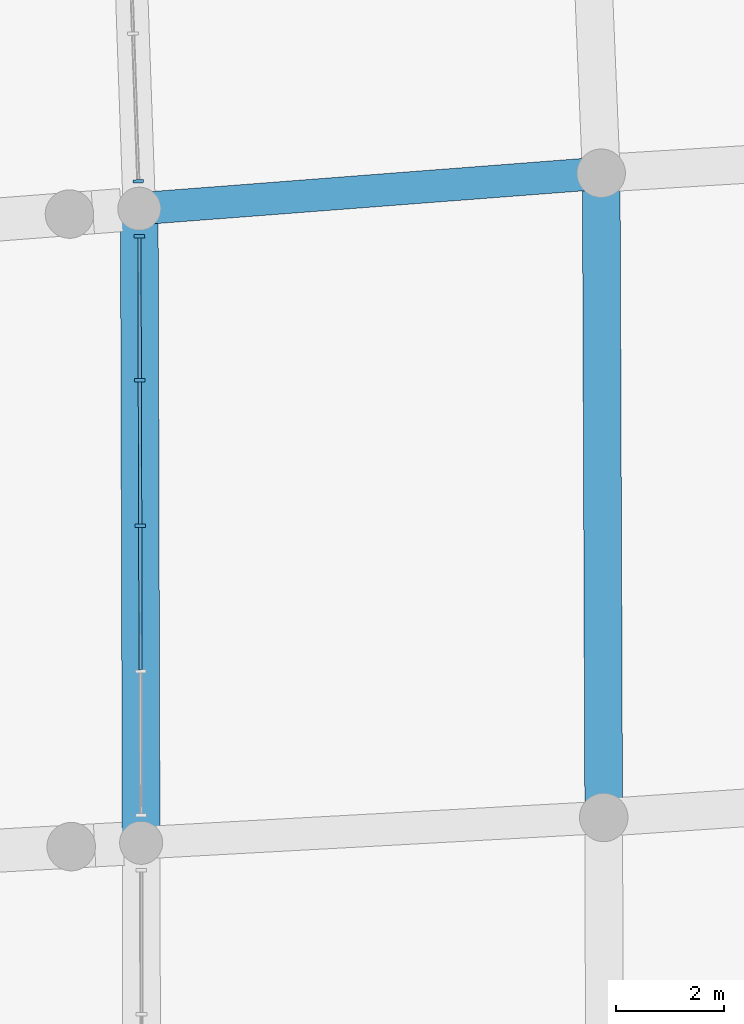
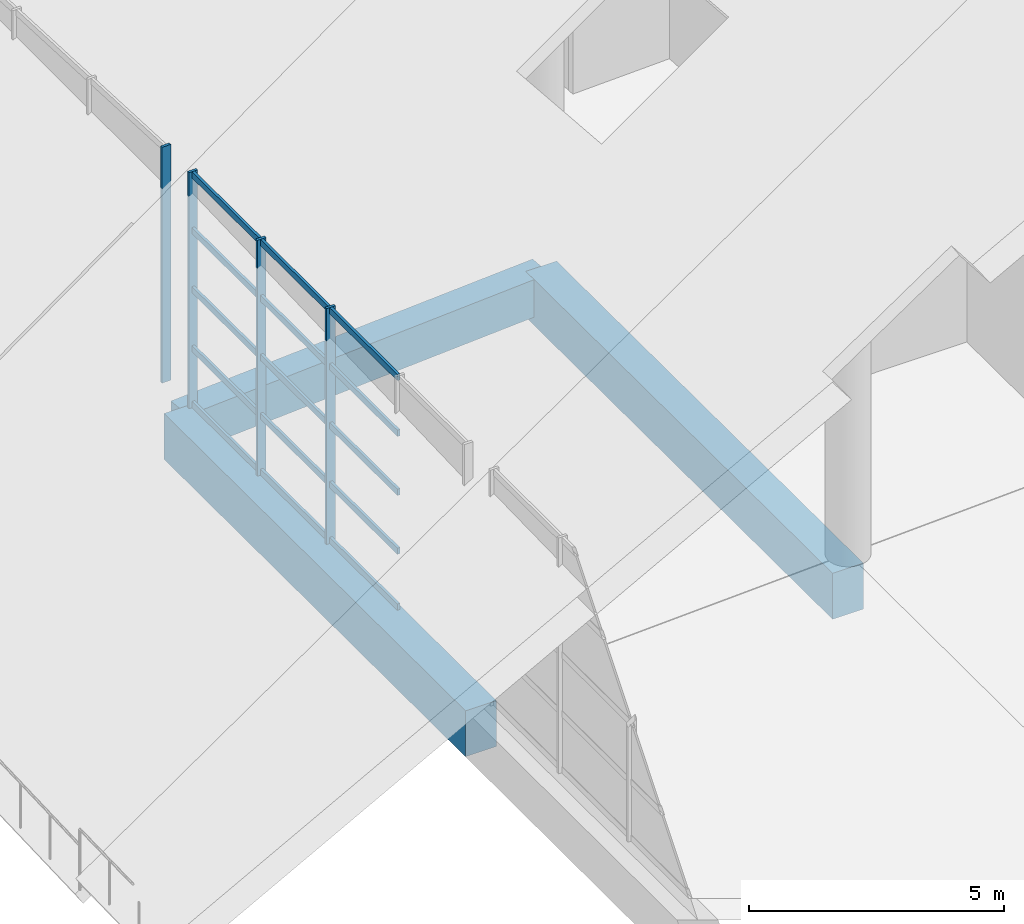
# One storey, part 76 of 249: 19 members, 3 beams, 2 elements without a shape of their own.
"""IFC4 building model written with IfcOpenShell, lengths in metres."""

import ifcopenshell
import ifcopenshell.guid

model = None  # the IFC model being written
_history = None  # IfcOwnerHistory: only IFC2X3 demands one
_inside = {}  # id of a spatial element -> (the spatial element, [elements in it])
_under = {}  # id of a project, library or spatial element -> (it, [spatial elements below it])
_declared = {}  # id of a project -> (the project, [libraries it declares])
_typed = {}  # id of a type object -> (the type object, [elements of that type])
_made_of = {}  # id of a material, layer set ... -> (it, [elements and type objects made of it])


def new_model(schema):
    """Start an empty IFC model of exactly this schema.

    Asked for "IFC4X3", IfcOpenShell would pick the latest addendum, in which some entities
    have other attributes; the version numbers below select the first issue.
    IFC2X3 requires an IfcOwnerHistory on every rooted entity: one is made here for all.
    """
    global model, _history
    if schema == "IFC4X3":
        model = ifcopenshell.file(schema_version=(4, 3, 0, 0))
    else:
        model = ifcopenshell.file(schema=schema)
    _inside.clear()
    _under.clear()
    _declared.clear()
    _typed.clear()
    _made_of.clear()
    _history = None
    if model.schema == "IFC2X3":
        org = make("IfcOrganization", Name="unknown")
        user = make(
            "IfcPersonAndOrganization",
            ThePerson=make("IfcPerson", FamilyName="unknown"),
            TheOrganization=org,
        )
        app = make(
            "IfcApplication",
            ApplicationDeveloper=org,
            Version="unknown",
            ApplicationFullName="unknown",
            ApplicationIdentifier="unknown",
        )
        _history = make(
            "IfcOwnerHistory",
            OwningUser=user,
            OwningApplication=app,
            ChangeAction="ADDED",
            CreationDate=0,
        )
    return model


def make(cls, **values):
    """One entity of the class cls with the attributes given. An attribute that is None is left unset."""
    return model.create_entity(
        cls, **{name: value for name, value in values.items() if value is not None}
    )


def rooted(cls, **values):
    """An entity with a GlobalId (a new one), such as an element, a storey or a relation."""
    return make(cls, GlobalId=ifcopenshell.guid.new(), OwnerHistory=_history, **values)


def si_unit(unit_type, name, prefix=None):
    """IfcSIUnit, for example si_unit("LENGTHUNIT", "METRE", prefix="MILLI")."""
    return make("IfcSIUnit", UnitType=unit_type, Prefix=prefix, Name=name)


def assignment(units):
    """IfcUnitAssignment: the units of a project."""
    return None if units is None else make("IfcUnitAssignment", Units=units)


def point(xyz):
    """IfcCartesianPoint."""
    return None if xyz is None else make("IfcCartesianPoint", Coordinates=xyz)


def direction(xyz):
    """IfcDirection."""
    return None if xyz is None else make("IfcDirection", DirectionRatios=xyz)


def frame(location, z_axis=None, x_axis=None):
    """IfcAxis2Placement3D, a coordinate frame: its origin and axes. An axis left out is left unset."""
    return make(
        "IfcAxis2Placement3D",
        Location=point(location),
        Axis=direction(z_axis),
        RefDirection=direction(x_axis),
    )


def frame_2d(location, x_axis=None):
    """IfcAxis2Placement2D, a coordinate frame in the plane: its origin and x axis."""
    return make(
        "IfcAxis2Placement2D", Location=point(location), RefDirection=direction(x_axis)
    )


def origin():
    """The frame at (0, 0, 0) with its axes left unset."""
    return frame((0.0, 0.0, 0.0))


def origin_2d():
    """The frame at (0, 0) in the plane with its x axis left unset."""
    return frame_2d((0.0, 0.0))


def place(relative_to, where):
    """IfcLocalPlacement: puts the frame where relative to a parent placement (None: the world)."""
    return make(
        "IfcLocalPlacement", PlacementRelTo=relative_to, RelativePlacement=where
    )


def context(
    kind, dimensions, precision=None, world=None, true_north=None, identifier=None
):
    """IfcGeometricRepresentationContext, for example the 3D "Model" context."""
    return make(
        "IfcGeometricRepresentationContext",
        ContextIdentifier=identifier,
        ContextType=kind,
        CoordinateSpaceDimension=dimensions,
        Precision=precision,
        WorldCoordinateSystem=world,
        TrueNorth=true_north,
    )


def subcontext(parent, identifier, kind, view, scale=None):
    """IfcGeometricRepresentationSubContext, for example "Body" below "Model"."""
    return make(
        "IfcGeometricRepresentationSubContext",
        ContextIdentifier=identifier,
        ContextType=kind,
        ParentContext=parent,
        TargetScale=scale,
        TargetView=view,
    )


def project(units=None, contexts=None):
    """IfcProject with its units and contexts."""
    return rooted(
        "IfcProject",
        Name="project",
        RepresentationContexts=contexts,
        UnitsInContext=assignment(units),
    )


def spatial(cls, under=None, at=None, **own):
    """A site, building, storey or space (cls), placed at a placement, below another one or the project."""
    s = rooted(cls, ObjectPlacement=at, **own)
    if under is not None:
        _under.setdefault(under.id(), (under, []))[1].append(s)
    return s


def profile(cls, at=None, kind="AREA", **sizes):
    """A parametric profile (cls). Its sizes go by their IFC names, for example OverallWidth=200.0."""
    return make(cls, ProfileType=kind, Position=at, **sizes)


def rectangle(**sizes):
    """IfcRectangleProfileDef."""
    return profile("IfcRectangleProfileDef", **sizes)


def extrude(swept, where, along, depth):
    """IfcExtrudedAreaSolid: the profile swept, set in the frame where, extruded along a direction by depth."""
    return make(
        "IfcExtrudedAreaSolid",
        SweptArea=swept,
        Position=where,
        ExtrudedDirection=direction(along),
        Depth=depth,
    )


def shape(context_of_items, identifier, shape_type, items):
    """IfcShapeRepresentation: the items that make up one representation, for example the "Body"."""
    return make(
        "IfcShapeRepresentation",
        ContextOfItems=context_of_items,
        RepresentationIdentifier=identifier,
        RepresentationType=shape_type,
        Items=items,
    )


def material(Name=None, Category=None):
    """IfcMaterial."""
    return make("IfcMaterial", Name=Name, Category=Category)


def layer(
    of_material, thickness, ventilated=None, Name=None, Category=None, Priority=None
):
    """IfcMaterialLayer: one layer of a wall or slab, of a material (None: an air gap)."""
    return make(
        "IfcMaterialLayer",
        Material=of_material,
        LayerThickness=thickness,
        IsVentilated=ventilated,
        Name=Name,
        Category=Category,
        Priority=Priority,
    )


def layer_set(layers, Name=None):
    """IfcMaterialLayerSet."""
    return make("IfcMaterialLayerSet", MaterialLayers=layers, LayerSetName=Name)


def material_profile(
    of_material, cross_section, Name=None, Category=None, Priority=None
):
    """IfcMaterialProfile: a cross section and its material."""
    return make(
        "IfcMaterialProfile",
        Name=Name,
        Material=of_material,
        Profile=cross_section,
        Priority=Priority,
        Category=Category,
    )


def profile_set(profiles, Name=None, composite=None):
    """IfcMaterialProfileSet."""
    return make(
        "IfcMaterialProfileSet",
        Name=Name,
        MaterialProfiles=profiles,
        CompositeProfile=composite,
    )


def made_of(thing, what):
    """Note that an element or type object is made of a material, layer set ...; save() writes the relation."""
    if what is not None:
        _made_of.setdefault(what.id(), (what, []))[1].append(thing)
    return thing


def type_object(cls, material=None, **own):
    """A type object (cls), such as IfcWallType, which elements share."""
    return made_of(rooted(cls, **own), material)


def element(
    cls,
    number,
    at=None,
    inside=None,
    cuts=None,
    type_object=None,
    material=None,
    context=None,
    identifier="Body",
    shape_type=None,
    held_by="IfcProductDefinitionShape",
    body=None,
    shapes=None,
    **own,
):
    """One element of the class cls, such as IfcWall. Its Tag is "e" and its number.

    at: its placement. inside: the storey or other place that contains it. cuts: it is an
    opening in that element (IfcRelVoidsElement). A single representation is given by context,
    identifier, shape_type and body (its items); several are given by shapes. held_by: the class
    of the entity that holds the representations. save() writes the other relations.
    """
    e = rooted(cls, Tag="e%d" % number, ObjectPlacement=at, **own)
    if body is not None:
        shapes = [shape(context, identifier, shape_type, body)]
    if shapes is not None:
        e.Representation = make(held_by, Representations=shapes)
    if inside is not None:
        _inside.setdefault(inside.id(), (inside, []))[1].append(e)
    if cuts is not None:
        rooted(
            "IfcRelVoidsElement", RelatingBuildingElement=cuts, RelatedOpeningElement=e
        )
    if type_object is not None:
        _typed.setdefault(type_object.id(), (type_object, []))[1].append(e)
    return made_of(e, material)


def aggregate(whole, parts):
    """IfcRelAggregates: a whole, such as a stair, and the parts it consists of."""
    return rooted("IfcRelAggregates", RelatingObject=whole, RelatedObjects=parts)


def save(model, path):
    """Write the relations noted so far, then the file.

    IfcRelAggregates (storeys below a building ...), IfcRelContainedInSpatialStructure (elements
    in a storey), IfcRelDefinesByType, IfcRelAssociatesMaterial and IfcRelDeclares: one each for
    every whole, place, type object, material and project.
    """
    for whole, parts in _under.values():
        aggregate(whole, parts)
    for where, things in _inside.values():
        rooted(
            "IfcRelContainedInSpatialStructure",
            RelatedElements=things,
            RelatingStructure=where,
        )
    for kind, things in _typed.values():
        rooted("IfcRelDefinesByType", RelatedObjects=things, RelatingType=kind)
    for what, things in _made_of.values():
        rooted("IfcRelAssociatesMaterial", RelatedObjects=things, RelatingMaterial=what)
    for by, libraries in _declared.values():
        rooted("IfcRelDeclares", RelatingContext=by, RelatedDefinitions=libraries)
    model.write(path)


model = new_model("IFC4")

# Units and contexts
model_context = context("Model", 3, precision=1e-05, world=origin(), true_north=direction((0.0, 1.0)))
body_context = subcontext(model_context, "Body", "Model", "MODEL_VIEW")
ifc_project = project(units=[si_unit("LENGTHUNIT", "METRE"), si_unit("AREAUNIT", "SQUARE_METRE"), si_unit("VOLUMEUNIT", "CUBIC_METRE"), si_unit("PLANEANGLEUNIT", "RADIAN"), si_unit("MASSUNIT", "GRAM", prefix="KILO")], contexts=[model_context])

# Site, building, storey
site_placement = place(None, origin())
site = spatial("IfcSite", under=ifc_project, at=site_placement, CompositionType="ELEMENT")
building_placement = place(site_placement, origin())
building = spatial("IfcBuilding", under=site, at=building_placement, Name="Meseta Stadium", CompositionType="ELEMENT")
storey_placement = place(building_placement, frame((0.0, 0.0, 12.0)))
storey = spatial("IfcBuildingStorey", under=building, at=storey_placement, Name="L02", CompositionType="ELEMENT", Elevation=12.0)

# Curtain wall, members
ifc_material_1 = material(Name="Aluminium", Category="aluminium")
ifc_layer = layer(ifc_material_1, 0.199951171875)
ifc_layer_set = layer_set([ifc_layer], Name="Suite glazing curtain wall")
curtain_wall_type = type_object("IfcCurtainWallType", Name="Suite glazing curtain wall", PredefinedType="NOTDEFINED", material=ifc_layer_set)
curtain_wall_1_placement = place(storey_placement, origin())
curtain_wall_1 = element("IfcCurtainWall", 1, at=curtain_wall_1_placement, inside=storey, type_object=curtain_wall_type, Name="Suite glazing bay 07", PredefinedType="NOTDEFINED")
ifc_material_2 = material(Name="Aluminium", Category="aluminium")
ifc_material_profile_1 = material_profile(ifc_material_2, rectangle(XDim=0.199951171875, YDim=0.06005859375, at=origin_2d()), Name="CW 200x60")
ifc_profile_set_1 = profile_set([ifc_material_profile_1], Name="Aluminium")
member_type_1 = type_object("IfcMemberType", Name="CW mullion 60x200", PredefinedType="MULLION", material=ifc_profile_set_1)
member_1_placement = place(storey_placement, frame((64.846923828125, 35.318359375, 0.0), z_axis=(0.0, 0.0, 1.0), x_axis=(-0.999995765919, -0.002910007458, 0.0)))
member_1 = element("IfcMember", 2, at=member_1_placement, type_object=member_type_1, Name="CWS mullion 3", PredefinedType="MULLION", context=body_context, shape_type="SweptSolid", body=[
    extrude(rectangle(XDim=0.199951171875, YDim=0.06005859375, at=origin_2d()), origin(), (0.0, 0.0, 1.0), 5.64990234375),
])
member_2_placement = place(storey_placement, frame((64.839111328125, 38.02099609375, 0.0), z_axis=(0.0, 0.0, 1.0), x_axis=(-0.999995765919, -0.002910007458, 0.0)))
member_2 = element("IfcMember", 3, at=member_2_placement, type_object=member_type_1, Name="CWS mullion 4", PredefinedType="MULLION", context=body_context, shape_type="SweptSolid", body=[
    extrude(rectangle(XDim=0.199951171875, YDim=0.06005859375, at=origin_2d()), origin(), (0.0, 0.0, 1.0), 5.64990234375),
])
member_3_placement = place(storey_placement, frame((64.831298828125, 40.69384765625, 0.0), z_axis=(0.0, 0.0, 1.0), x_axis=(-0.999995765919, -0.002910007458, 0.0)))
member_3 = element("IfcMember", 4, at=member_3_placement, type_object=member_type_1, Name="CWS mullion 5", PredefinedType="MULLION", context=body_context, shape_type="SweptSolid", body=[
    extrude(rectangle(XDim=0.199951171875, YDim=0.06005859375, at=origin_2d()), origin(), (0.0, 0.0, 1.0), 5.64990234375),
])

# Curtain wall, member
curtain_wall_2_placement = place(storey_placement, origin())
curtain_wall_2 = element("IfcCurtainWall", 5, at=curtain_wall_2_placement, inside=storey, type_object=curtain_wall_type, Name="Suite glazing bay 08", PredefinedType="NOTDEFINED")
member_4_placement = place(storey_placement, frame((64.81201171875, 41.713134765625, 0.0), z_axis=(0.0, 0.0, 1.0), x_axis=(-0.999374260798, -0.035370706156, 0.0)))
member_4 = element("IfcMember", 6, at=member_4_placement, type_object=member_type_1, Name="CWS mullion 1", PredefinedType="MULLION", context=body_context, shape_type="SweptSolid", body=[
    extrude(rectangle(XDim=0.199951171875, YDim=0.06005859375, at=origin_2d()), origin(), (0.0, 0.0, 1.0), 5.64990234375),
])
aggregate(curtain_wall_2, [member_4])

# Member
ifc_material_3 = material(Name="Aluminium", Category="aluminium")
ifc_material_profile_2 = material_profile(ifc_material_3, rectangle(XDim=0.06005859375, YDim=0.14990234375, at=origin_2d()), Name="CW 60x150")
ifc_profile_set_2 = profile_set([ifc_material_profile_2], Name="Aluminium")
member_type_2 = type_object("IfcMemberType", Name="CW transom 60x150", PredefinedType="USERDEFINED", material=ifc_profile_set_2)
member_5_placement = place(storey_placement, frame((64.854736328125, 32.645751953125, 0.074951171875), z_axis=(-0.002863994167, 0.99999589876, 0.0), x_axis=(-0.99999589876, -0.002863994167, 0.0)))
member_5 = element("IfcMember", 7, at=member_5_placement, type_object=member_type_2, Name="CWS transom 2.1", ObjectType="TRANSOM", PredefinedType="USERDEFINED", context=body_context, shape_type="SweptSolid", body=[
    extrude(rectangle(XDim=0.06005859375, YDim=0.14990234375, at=origin_2d()), origin(), (0.0, 0.0, 1.0), 2.642578125),
])

member_6_placement = place(storey_placement, frame((64.854736328125, 32.645751953125, 1.41259765625), z_axis=(-0.002863994167, 0.99999589876, 0.0), x_axis=(-0.99999589876, -0.002863994167, 0.0)))
member_6 = element("IfcMember", 8, at=member_6_placement, type_object=member_type_2, Name="CWS transom 2.2", ObjectType="TRANSOM", PredefinedType="USERDEFINED", context=body_context, shape_type="SweptSolid", body=[
    extrude(rectangle(XDim=0.06005859375, YDim=0.14990234375, at=origin_2d()), origin(), (0.0, 0.0, 1.0), 2.642578125),
])

member_7_placement = place(storey_placement, frame((64.854736328125, 32.645751953125, 2.824951171875), z_axis=(-0.002863994167, 0.99999589876, 0.0), x_axis=(-0.99999589876, -0.002863994167, 0.0)))
member_7 = element("IfcMember", 9, at=member_7_placement, type_object=member_type_2, Name="CWS transom 2.3", ObjectType="TRANSOM", PredefinedType="USERDEFINED", context=body_context, shape_type="SweptSolid", body=[
    extrude(rectangle(XDim=0.06005859375, YDim=0.14990234375, at=origin_2d()), origin(), (0.0, 0.0, 1.0), 2.642578125),
])

member_8_placement = place(storey_placement, frame((64.854736328125, 32.645751953125, 4.237548828125), z_axis=(-0.002863994167, 0.99999589876, 0.0), x_axis=(-0.99999589876, -0.002863994167, 0.0)))
member_8 = element("IfcMember", 10, at=member_8_placement, type_object=member_type_2, Name="CWS transom 2.4", ObjectType="TRANSOM", PredefinedType="USERDEFINED", context=body_context, shape_type="SweptSolid", body=[
    extrude(rectangle(XDim=0.06005859375, YDim=0.14990234375, at=origin_2d()), origin(), (0.0, 0.0, 1.0), 2.642578125),
])

member_9_placement = place(storey_placement, frame((64.854736328125, 32.645751953125, 5.574951171875), z_axis=(-0.002863994167, 0.99999589876, 0.0), x_axis=(-0.99999589876, -0.002863994167, 0.0)))
member_9 = element("IfcMember", 11, at=member_9_placement, type_object=member_type_2, Name="CWS transom 2.5", ObjectType="TRANSOM", PredefinedType="USERDEFINED", context=body_context, shape_type="SweptSolid", body=[
    extrude(rectangle(XDim=0.06005859375, YDim=0.14990234375, at=origin_2d()), origin(), (0.0, 0.0, 1.0), 2.642578125),
])

member_10_placement = place(storey_placement, frame((64.846923828125, 35.348388671875, 0.074951171875), z_axis=(-0.002863994167, 0.99999589876, 0.0), x_axis=(-0.99999589876, -0.002863994167, 0.0)))
member_10 = element("IfcMember", 12, at=member_10_placement, type_object=member_type_2, Name="CWS transom 3.1", ObjectType="TRANSOM", PredefinedType="USERDEFINED", context=body_context, shape_type="SweptSolid", body=[
    extrude(rectangle(XDim=0.06005859375, YDim=0.14990234375, at=origin_2d()), origin(), (0.0, 0.0, 1.0), 2.642578125),
])

member_11_placement = place(storey_placement, frame((64.846923828125, 35.348388671875, 1.41259765625), z_axis=(-0.002863994167, 0.99999589876, 0.0), x_axis=(-0.99999589876, -0.002863994167, 0.0)))
member_11 = element("IfcMember", 13, at=member_11_placement, type_object=member_type_2, Name="CWS transom 3.2", ObjectType="TRANSOM", PredefinedType="USERDEFINED", context=body_context, shape_type="SweptSolid", body=[
    extrude(rectangle(XDim=0.06005859375, YDim=0.14990234375, at=origin_2d()), origin(), (0.0, 0.0, 1.0), 2.642578125),
])

member_12_placement = place(storey_placement, frame((64.846923828125, 35.348388671875, 2.824951171875), z_axis=(-0.002863994167, 0.99999589876, 0.0), x_axis=(-0.99999589876, -0.002863994167, 0.0)))
member_12 = element("IfcMember", 14, at=member_12_placement, type_object=member_type_2, Name="CWS transom 3.3", ObjectType="TRANSOM", PredefinedType="USERDEFINED", context=body_context, shape_type="SweptSolid", body=[
    extrude(rectangle(XDim=0.06005859375, YDim=0.14990234375, at=origin_2d()), origin(), (0.0, 0.0, 1.0), 2.642578125),
])

member_13_placement = place(storey_placement, frame((64.846923828125, 35.348388671875, 4.237548828125), z_axis=(-0.002863994167, 0.99999589876, 0.0), x_axis=(-0.99999589876, -0.002863994167, 0.0)))
member_13 = element("IfcMember", 15, at=member_13_placement, type_object=member_type_2, Name="CWS transom 3.4", ObjectType="TRANSOM", PredefinedType="USERDEFINED", context=body_context, shape_type="SweptSolid", body=[
    extrude(rectangle(XDim=0.06005859375, YDim=0.14990234375, at=origin_2d()), origin(), (0.0, 0.0, 1.0), 2.642578125),
])

member_14_placement = place(storey_placement, frame((64.846923828125, 35.348388671875, 5.574951171875), z_axis=(-0.002863994167, 0.99999589876, 0.0), x_axis=(-0.99999589876, -0.002863994167, 0.0)))
member_14 = element("IfcMember", 16, at=member_14_placement, type_object=member_type_2, Name="CWS transom 3.5", ObjectType="TRANSOM", PredefinedType="USERDEFINED", context=body_context, shape_type="SweptSolid", body=[
    extrude(rectangle(XDim=0.06005859375, YDim=0.14990234375, at=origin_2d()), origin(), (0.0, 0.0, 1.0), 2.642578125),
])

member_15_placement = place(storey_placement, frame((64.839111328125, 38.051025390625, 0.074951171875), z_axis=(-0.002896642679, 0.999995804722, 0.0), x_axis=(-0.999995804722, -0.002896642679, 0.0)))
member_15 = element("IfcMember", 17, at=member_15_placement, type_object=member_type_2, Name="CWS transom 4.1", ObjectType="TRANSOM", PredefinedType="USERDEFINED", context=body_context, shape_type="SweptSolid", body=[
    extrude(rectangle(XDim=0.06005859375, YDim=0.14990234375, at=origin_2d()), origin(), (0.0, 0.0, 1.0), 2.61279296875),
])

member_16_placement = place(storey_placement, frame((64.839111328125, 38.051025390625, 1.41259765625), z_axis=(-0.002896642679, 0.999995804722, 0.0), x_axis=(-0.999995804722, -0.002896642679, 0.0)))
member_16 = element("IfcMember", 18, at=member_16_placement, type_object=member_type_2, Name="CWS transom 4.2", ObjectType="TRANSOM", PredefinedType="USERDEFINED", context=body_context, shape_type="SweptSolid", body=[
    extrude(rectangle(XDim=0.06005859375, YDim=0.14990234375, at=origin_2d()), origin(), (0.0, 0.0, 1.0), 2.61279296875),
])

member_17_placement = place(storey_placement, frame((64.839111328125, 38.051025390625, 2.824951171875), z_axis=(-0.002896642679, 0.999995804722, 0.0), x_axis=(-0.999995804722, -0.002896642679, 0.0)))
member_17 = element("IfcMember", 19, at=member_17_placement, type_object=member_type_2, Name="CWS transom 4.3", ObjectType="TRANSOM", PredefinedType="USERDEFINED", context=body_context, shape_type="SweptSolid", body=[
    extrude(rectangle(XDim=0.06005859375, YDim=0.14990234375, at=origin_2d()), origin(), (0.0, 0.0, 1.0), 2.61279296875),
])

member_18_placement = place(storey_placement, frame((64.839111328125, 38.051025390625, 4.237548828125), z_axis=(-0.002896642679, 0.999995804722, 0.0), x_axis=(-0.999995804722, -0.002896642679, 0.0)))
member_18 = element("IfcMember", 20, at=member_18_placement, type_object=member_type_2, Name="CWS transom 4.4", ObjectType="TRANSOM", PredefinedType="USERDEFINED", context=body_context, shape_type="SweptSolid", body=[
    extrude(rectangle(XDim=0.06005859375, YDim=0.14990234375, at=origin_2d()), origin(), (0.0, 0.0, 1.0), 2.61279296875),
])

member_19_placement = place(storey_placement, frame((64.839111328125, 38.051025390625, 5.574951171875), z_axis=(-0.002896642679, 0.999995804722, 0.0), x_axis=(-0.999995804722, -0.002896642679, 0.0)))
member_19 = element("IfcMember", 21, at=member_19_placement, type_object=member_type_2, Name="CWS transom 4.5", ObjectType="TRANSOM", PredefinedType="USERDEFINED", context=body_context, shape_type="SweptSolid", body=[
    extrude(rectangle(XDim=0.06005859375, YDim=0.14990234375, at=origin_2d()), origin(), (0.0, 0.0, 1.0), 2.61279296875),
])

aggregate(curtain_wall_1, [member_1, member_2, member_3, member_5, member_6, member_7, member_8, member_9, member_10, member_11, member_12, member_13, member_14, member_15, member_16, member_17, member_18, member_19])

# Beams
ifc_material_4 = material(Name="Concrete C40/50", Category="concrete")
ifc_material_profile_3 = material_profile(ifc_material_4, rectangle(XDim=0.60009765625, YDim=0.89990234375, at=origin_2d()), Name="RC 600x900")
ifc_profile_set_3 = profile_set([ifc_material_profile_3], Name="Concrete C40/50")
beam_type_1 = type_object("IfcBeamType", Name="RC beam 600x900", PredefinedType="BEAM", material=ifc_profile_set_3)
beam_1_placement = place(storey_placement, frame((64.829833984375, 41.2041015625, -0.800048828125), z_axis=(0.997066996267, 0.076533685105, 0.0), x_axis=(-0.076533685105, 0.997066996267, 0.0)))
element("IfcBeam", 22, at=beam_1_placement, inside=storey, type_object=beam_type_1, Name="L02 radial beam frame 8 line D to E", PredefinedType="BEAM", context=body_context, shape_type="SweptSolid", body=[
    extrude(rectangle(XDim=0.60009765625, YDim=0.89990234375, at=origin_2d()), origin(), (0.0, 0.0, 1.0), 8.60009765625),
])
ifc_material_5 = material(Name="Concrete C40/50", Category="concrete")
ifc_material_profile_4 = material_profile(ifc_material_5, rectangle(XDim=0.699951171875, YDim=1.10009765625, at=origin_2d()), Name="RC 700x1100")
ifc_profile_set_4 = profile_set([ifc_material_profile_4], Name="Concrete C40/50")
beam_type_2 = type_object("IfcBeamType", Name="RC beam 700x1100", PredefinedType="BEAM", material=ifc_profile_set_4)
beam_2_placement = place(storey_placement, frame((64.8642578125, 29.433349609375, -0.89990234375), z_axis=(-0.002924509925, 0.999995723612, 0.0), x_axis=(-0.999995723612, -0.002924509925, 0.0)))
element("IfcBeam", 23, at=beam_2_placement, inside=storey, type_object=beam_type_2, Name="L02 ring beam frame 7 line D", PredefinedType="BEAM", context=body_context, shape_type="SweptSolid", body=[
    extrude(rectangle(XDim=0.699951171875, YDim=1.10009765625, at=origin_2d()), origin(), (0.0, 0.0, 1.0), 11.770751953125),
])
beam_3_placement = place(storey_placement, frame((73.451416015625, 29.904052734375, -0.89990234375), z_axis=(-0.003899441576, 0.999992397149, 0.0), x_axis=(-0.999992397149, -0.003899441576, 0.0)))
element("IfcBeam", 24, at=beam_3_placement, inside=storey, type_object=beam_type_2, Name="L02 ring beam frame 7 line E", PredefinedType="BEAM", context=body_context, shape_type="SweptSolid", body=[
    extrude(rectangle(XDim=0.699951171875, YDim=1.10009765625, at=origin_2d()), origin(), (0.0, 0.0, 1.0), 11.958251953125),
])

save(model, "model.ifc")
